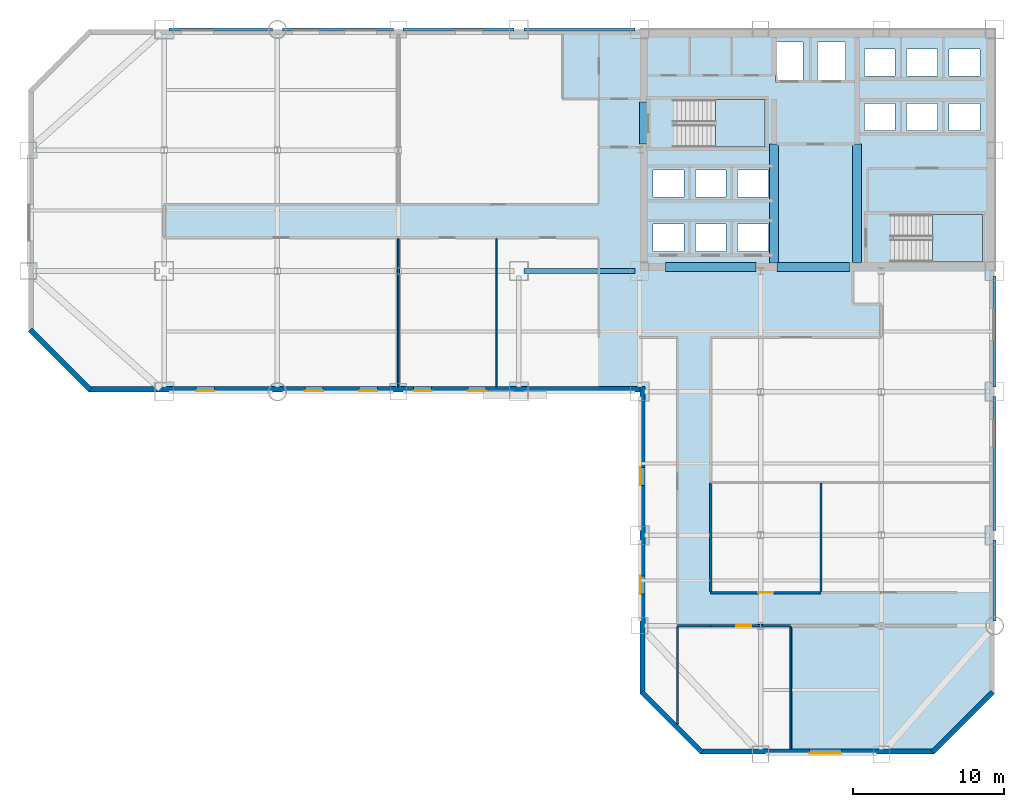
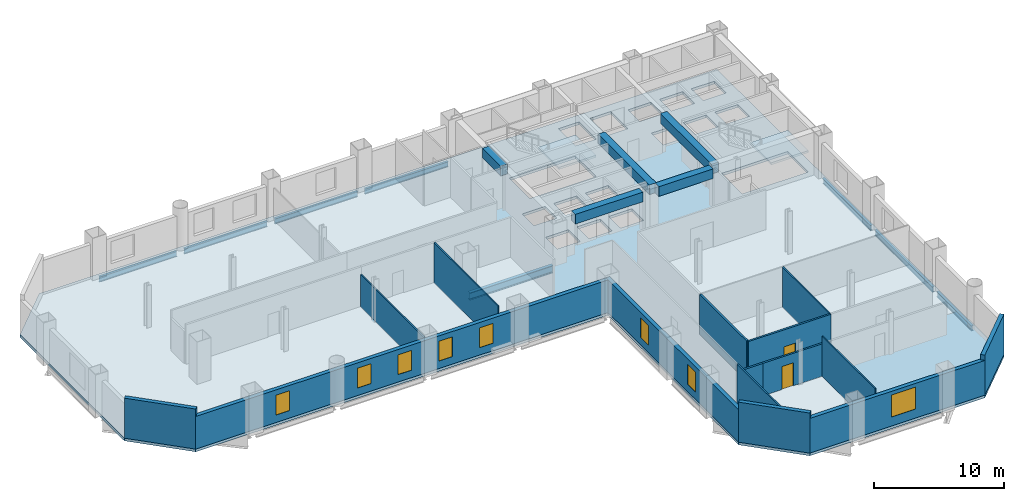
# One storey, part 4 of 9: 15 walls, 13 beams, 8 windows, 3 slabs, 2 doors, 10 openings, 2 elements without a shape of their own.
"""IFC4 building model written with IfcOpenShell, lengths in metres."""

from ifc_helpers import new_model, si_unit, direction, frame, frame_2d, origin, origin_2d, place, context, subcontext, project, spatial, polyline, rectangle, i_section, outline, extrude, material, layer, layer_set, material_profile, profile_set, type_object, element, fill, aggregate, save


model = new_model("IFC4")

# Units and contexts
model_context = context("Model", 3, precision=1e-05, world=origin(), true_north=direction((0.0, 1.0)))
body_context = subcontext(model_context, "Body", "Model", "MODEL_VIEW")
ifc_project = project(units=[si_unit("LENGTHUNIT", "METRE"), si_unit("AREAUNIT", "SQUARE_METRE"), si_unit("VOLUMEUNIT", "CUBIC_METRE"), si_unit("PLANEANGLEUNIT", "RADIAN"), si_unit("MASSUNIT", "GRAM", prefix="KILO")], contexts=[model_context])

# Site, building, storey
site_placement = place(None, origin())
site = spatial("IfcSite", under=ifc_project, at=site_placement, CompositionType="ELEMENT")
building_placement = place(site_placement, origin())
building = spatial("IfcBuilding", under=site, at=building_placement, Name="Qianrong Seaharbour Tower", CompositionType="ELEMENT")
storey_placement = place(building_placement, frame((0.0, 0.0, 56.199951171875)))
storey = spatial("IfcBuildingStorey", under=building, at=storey_placement, Name="L13", CompositionType="ELEMENT", Elevation=56.199951171875)

# Beams
ifc_material_1 = material(Name="Structural steel SN490B", Category="steel")
ifc_material_profile_1 = material_profile(ifc_material_1, i_section(OverallWidth=0.300048828125, OverallDepth=0.699951171875, WebThickness=0.012939453125, FlangeThickness=0.02392578125, FilletRadius=0.02587890625, at=origin_2d()), Name="H700x300x13x24")
ifc_profile_set_1 = profile_set([ifc_material_profile_1], Name="Structural steel SN490B")
beam_type_1 = type_object("IfcBeamType", Name="BM-G-700", PredefinedType="BEAM", material=ifc_profile_set_1)
beam_1_placement = place(storey_placement, frame((32.820068359375, 36.0, -0.599853515625), z_axis=(1.0, 0.0, 0.0), x_axis=(0.0, 1.0, 0.0)))
element("IfcBeam", 1, at=beam_1_placement, inside=storey, type_object=beam_type_1, Name="L13 Primary Girder GF G5-G6", PredefinedType="BEAM", context=body_context, shape_type="SweptSolid", body=[
    extrude(i_section(OverallWidth=0.300048828125, OverallDepth=0.699951171875, WebThickness=0.012939453125, FlangeThickness=0.02392578125, FilletRadius=0.02587890625, at=origin_2d()), origin(), (0.0, 0.0, 1.0), 7.35986328125),
])
ifc_material_2 = material(Name="Concrete C70/85", Category="concrete")
ifc_material_profile_2 = material_profile(ifc_material_2, rectangle(XDim=0.60009765625, YDim=0.89990234375, at=origin_2d()), Name="RC600x900")
ifc_profile_set_2 = profile_set([ifc_material_profile_2], Name="Concrete C70/85")
beam_type_2 = type_object("IfcBeamType", Name="BM-LINTEL-900", PredefinedType="LINTEL", material=ifc_profile_set_2)
beam_2_placement = place(storey_placement, frame((40.77001953125, 44.39990234375, 3.300048828125), z_axis=(0.0, 1.0, 0.0), x_axis=(-1.0, 0.0, 0.0)))
element("IfcBeam", 2, at=beam_2_placement, inside=storey, type_object=beam_type_2, Name="L13 Core Coupling Lintel Beam West", PredefinedType="LINTEL", context=body_context, shape_type="SweptSolid", body=[
    extrude(rectangle(XDim=0.60009765625, YDim=0.89990234375, at=origin_2d()), origin(), (0.0, 0.0, 1.0), 2.800048828125),
])
beam_3_placement = place(storey_placement, frame((42.199951171875, 36.27001953125, 3.300048828125), z_axis=(1.0, 0.0, 0.0), x_axis=(0.0, 1.0, 0.0)))
element("IfcBeam", 3, at=beam_3_placement, inside=storey, type_object=beam_type_2, Name="L13 Core Coupling Lintel Beam CBW", PredefinedType="LINTEL", context=body_context, shape_type="SweptSolid", body=[
    extrude(rectangle(XDim=0.60009765625, YDim=0.89990234375, at=origin_2d()), origin(), (0.0, 0.0, 1.0), 6.0),
])
beam_4_placement = place(storey_placement, frame((49.60009765625, 36.27001953125, 3.300048828125), z_axis=(1.0, 0.0, 0.0), x_axis=(0.0, 1.0, 0.0)))
element("IfcBeam", 4, at=beam_4_placement, inside=storey, type_object=beam_type_2, Name="L13 Core Coupling Lintel Beam CBC", PredefinedType="LINTEL", context=body_context, shape_type="SweptSolid", body=[
    extrude(rectangle(XDim=0.60009765625, YDim=0.89990234375, at=origin_2d()), origin(), (0.0, 0.0, 1.0), 4.7998046875),
])
for number, where, z_axis, x_axis, name in (
    (5, (49.39990234375, 36.5400390625, 3.300048828125), (0.0, 1.0, 0.0), (-1.0, 0.0, 0.0), "L13 Internal Core Coupling Beam IW1"),
    (6, (54.89990234375, 36.5400390625, 3.300048828125), (0.0, 1.0, 0.0), (-1.0, 0.0, 0.0), "L13 Internal Core Coupling Beam IW2"),
):
    element("IfcBeam", number, at=place(storey_placement, frame(where, z_axis=z_axis, x_axis=x_axis)), inside=storey, type_object=beam_type_2, Name=name, PredefinedType="LINTEL", context=body_context, shape_type="SweptSolid", body=[
        extrude(rectangle(XDim=0.60009765625, YDim=0.89990234375, at=origin_2d()), origin(), (0.0, 0.0, 1.0), 7.85986328125),
    ])
ifc_material_profile_3 = material_profile(ifc_material_1, i_section(OverallWidth=0.199951171875, OverallDepth=0.5, WebThickness=0.010009765625, FlangeThickness=0.01611328125, FilletRadius=0.02001953125, at=origin_2d()), Name="H500x200x10x16")
ifc_profile_set_3 = profile_set([ifc_material_profile_3], Name="Structural steel SN490B")
beam_type_3 = type_object("IfcBeamType", Name="BM-SP-500", PredefinedType="SPANDREL", material=ifc_profile_set_3)
beam_5_placement = place(storey_placement, frame((9.320068359375, 52.0, -0.5), z_axis=(1.0, 0.0, 0.0), x_axis=(0.0, 1.0, 0.0)))
element("IfcBeam", 7, at=beam_5_placement, inside=storey, type_object=beam_type_3, Name="L13 Spandrel Girder GH G2-G3", PredefinedType="SPANDREL", context=body_context, shape_type="SweptSolid", body=[
    extrude(i_section(OverallWidth=0.199951171875, OverallDepth=0.5, WebThickness=0.010009765625, FlangeThickness=0.01611328125, FilletRadius=0.02001953125, at=origin_2d()), origin(), (0.0, 0.0, 1.0), 6.85986328125),
])
for number, where, z_axis, x_axis, name in (
    (8, (16.820068359375, 52.0, -0.5), (1.0, 0.0, 0.0), (0.0, 1.0, 0.0), "L13 Spandrel Girder GH G3-G4"),
    (9, (24.820068359375, 52.0, -0.5), (1.0, 0.0, 0.0), (0.0, 1.0, 0.0), "L13 Spandrel Girder GH G4-G5"),
    (10, (32.820068359375, 52.0, -0.5), (1.0, 0.0, 0.0), (0.0, 1.0, 0.0), "L13 Spandrel Girder GH G5-G6"),
):
    element("IfcBeam", number, at=place(storey_placement, frame(where, z_axis=z_axis, x_axis=x_axis)), inside=storey, type_object=beam_type_3, Name=name, PredefinedType="SPANDREL", context=body_context, shape_type="SweptSolid", body=[
        extrude(i_section(OverallWidth=0.199951171875, OverallDepth=0.5, WebThickness=0.010009765625, FlangeThickness=0.01611328125, FilletRadius=0.02001953125, at=origin_2d()), origin(), (0.0, 0.0, 1.0), 7.35986328125),
    ])
beam_6_placement = place(storey_placement, frame((64.0, 12.820068359375, -0.5), z_axis=(0.0, 1.0, 0.0), x_axis=(-1.0, 0.0, 0.0)))
element("IfcBeam", 11, at=beam_6_placement, inside=storey, type_object=beam_type_3, Name="L13 Spandrel Girder G9 GC-GD", PredefinedType="SPANDREL", context=body_context, shape_type="SweptSolid", body=[
    extrude(i_section(OverallWidth=0.199951171875, OverallDepth=0.5, WebThickness=0.010009765625, FlangeThickness=0.01611328125, FilletRadius=0.02001953125, at=origin_2d()), origin(), (0.0, 0.0, 1.0), 5.35986328125),
])
beam_7_placement = place(storey_placement, frame((64.0, 18.820068359375, -0.5), z_axis=(0.0, 1.0, 0.0), x_axis=(-1.0, 0.0, 0.0)))
element("IfcBeam", 12, at=beam_7_placement, inside=storey, type_object=beam_type_3, Name="L13 Spandrel Girder G9 GD-GE", PredefinedType="SPANDREL", context=body_context, shape_type="SweptSolid", body=[
    extrude(i_section(OverallWidth=0.199951171875, OverallDepth=0.5, WebThickness=0.010009765625, FlangeThickness=0.01611328125, FilletRadius=0.02001953125, at=origin_2d()), origin(), (0.0, 0.0, 1.0), 8.85986328125),
])
beam_8_placement = place(storey_placement, frame((64.0, 28.320068359375, -0.5), z_axis=(0.0, 1.0, 0.0), x_axis=(-1.0, 0.0, 0.0)))
element("IfcBeam", 13, at=beam_8_placement, inside=storey, type_object=beam_type_3, Name="L13 Spandrel Girder G9 GE-GF", PredefinedType="SPANDREL", context=body_context, shape_type="SweptSolid", body=[
    extrude(i_section(OverallWidth=0.199951171875, OverallDepth=0.5, WebThickness=0.010009765625, FlangeThickness=0.01611328125, FilletRadius=0.02001953125, at=origin_2d()), origin(), (0.0, 0.0, 1.0), 7.35986328125),
])

# Stair, slab
ifc_material_3 = material(Name="Concrete C50/60", Category="concrete")
stair_type = type_object("IfcStairType", Name="STAIR-DOGLEG-1500-R22", PredefinedType="HALF_TURN_STAIR", material=ifc_material_3)
stair_1_placement = place(storey_placement, origin())
stair_1 = element("IfcStair", 14, at=stair_1_placement, inside=storey, type_object=stair_type, Name="L13 Protected Escape Stair ST-1", PredefinedType="HALF_TURN_STAIR")
ifc_layer_1 = layer(ifc_material_3, 0.199951171875)
ifc_layer_set_1 = layer_set([ifc_layer_1], Name="Concrete C50/60")
slab_type_1 = type_object("IfcSlabType", Name="SLAB-STAIR-LANDING-200", PredefinedType="LANDING", material=ifc_layer_set_1)
slab_1_placement = place(storey_placement, frame((0.0, 0.0, 1.800048828125)))
slab_1 = element("IfcSlab", 15, at=slab_1_placement, type_object=slab_type_1, Name="ST-1 landing 1", PredefinedType="LANDING", context=body_context, shape_type="SweptSolid", body=[
    extrude(outline(polyline([(45.5, 44.199951171875), (48.800048828125, 44.199951171875), (48.800048828125, 47.35009765625), (45.5, 47.35009765625), (45.5, 44.199951171875)])), origin(), (0.0, 0.0, 1.0), 0.199951171875),
])
aggregate(stair_1, [slab_1])

stair_2_placement = place(storey_placement, origin())
stair_2 = element("IfcStair", 16, at=stair_2_placement, inside=storey, type_object=stair_type, Name="L13 Protected Escape Stair ST-2", PredefinedType="HALF_TURN_STAIR")
slab_2_placement = place(storey_placement, frame((0.0, 0.0, 1.800048828125)))
slab_2 = element("IfcSlab", 17, at=slab_2_placement, type_object=slab_type_1, Name="ST-2 landing 1", PredefinedType="LANDING", context=body_context, shape_type="SweptSolid", body=[
    extrude(outline(polyline([(59.89990234375, 36.60009765625), (63.199951171875, 36.60009765625), (63.199951171875, 39.75), (59.89990234375, 39.75), (59.89990234375, 36.60009765625)])), origin(), (0.0, 0.0, 1.0), 0.199951171875),
])
aggregate(stair_2, [slab_2])

# Slab
ifc_layer_2 = layer(ifc_material_3, 0.25)
ifc_layer_set_2 = layer_set([ifc_layer_2], Name="Concrete C50/60")
slab_type_2 = type_object("IfcSlabType", Name="SLAB-Z1-250", PredefinedType="FLOOR", material=ifc_layer_set_2)
slab_3_placement = place(storey_placement, frame((0.0, 0.0, -0.25)))
element("IfcSlab", 18, at=slab_3_placement, inside=storey, type_object=slab_type_2, Name="L13 Structural Floor Slab", PredefinedType="FLOOR", context=body_context, shape_type="SweptSolid", body=[
    extrude(outline(polyline([(44.5, 4.0), (60.0, 4.0), (64.0, 8.0), (64.0, 52.0), (4.0, 52.0), (0.0, 48.0), (0.0, 32.0), (4.0, 28.0), (40.5, 28.0), (40.5, 8.0), (44.5, 4.0)]), holes=[polyline([(42.93994140625, 44.199951171875), (42.93994140625, 47.35009765625), (48.800048828125, 47.35009765625), (48.800048828125, 44.199951171875), (42.93994140625, 44.199951171875)]), polyline([(57.340087890625, 36.60009765625), (57.340087890625, 39.75), (63.199951171875, 39.75), (63.199951171875, 36.60009765625), (57.340087890625, 36.60009765625)]), polyline([(49.47998046875, 48.530029296875), (49.47998046875, 51.169921875), (51.320068359375, 51.169921875), (51.320068359375, 48.530029296875), (49.47998046875, 48.530029296875)]), polyline([(52.280029296875, 48.530029296875), (52.280029296875, 51.169921875), (54.1201171875, 51.169921875), (54.1201171875, 48.530029296875), (52.280029296875, 48.530029296875)]), polyline([(41.3798828125, 37.300048828125), (41.3798828125, 39.10009765625), (43.419921875, 39.10009765625), (43.419921875, 37.300048828125), (41.3798828125, 37.300048828125)]), polyline([(44.179931640625, 37.300048828125), (44.179931640625, 39.10009765625), (46.219970703125, 39.10009765625), (46.219970703125, 37.300048828125), (44.179931640625, 37.300048828125)]), polyline([(46.97998046875, 37.300048828125), (46.97998046875, 39.10009765625), (49.02001953125, 39.10009765625), (49.02001953125, 37.300048828125), (46.97998046875, 37.300048828125)]), polyline([(41.3798828125, 40.89990234375), (41.3798828125, 42.699951171875), (43.419921875, 42.699951171875), (43.419921875, 40.89990234375), (41.3798828125, 40.89990234375)]), polyline([(44.179931640625, 40.89990234375), (44.179931640625, 42.699951171875), (46.219970703125, 42.699951171875), (46.219970703125, 40.89990234375), (44.179931640625, 40.89990234375)]), polyline([(46.97998046875, 40.89990234375), (46.97998046875, 42.699951171875), (49.02001953125, 42.699951171875), (49.02001953125, 40.89990234375), (46.97998046875, 40.89990234375)]), polyline([(55.3798828125, 45.300048828125), (55.3798828125, 47.10009765625), (57.419921875, 47.10009765625), (57.419921875, 45.300048828125), (55.3798828125, 45.300048828125)]), polyline([(58.179931640625, 45.300048828125), (58.179931640625, 47.10009765625), (60.219970703125, 47.10009765625), (60.219970703125, 45.300048828125), (58.179931640625, 45.300048828125)]), polyline([(60.97998046875, 45.300048828125), (60.97998046875, 47.10009765625), (63.02001953125, 47.10009765625), (63.02001953125, 45.300048828125), (60.97998046875, 45.300048828125)]), polyline([(55.3798828125, 48.89990234375), (55.3798828125, 50.699951171875), (57.419921875, 50.699951171875), (57.419921875, 48.89990234375), (55.3798828125, 48.89990234375)]), polyline([(58.179931640625, 48.89990234375), (58.179931640625, 50.699951171875), (60.219970703125, 50.699951171875), (60.219970703125, 48.89990234375), (58.179931640625, 48.89990234375)]), polyline([(60.97998046875, 48.89990234375), (60.97998046875, 50.699951171875), (63.02001953125, 50.699951171875), (63.02001953125, 48.89990234375), (60.97998046875, 48.89990234375)])]), origin(), (0.0, 0.0, 1.0), 0.25),
])

# Walls
ifc_material_4 = material(Name="Fire-rated acoustic gypsum board partition")
ifc_layer_3 = layer(ifc_material_4, 0.1650390625)
ifc_layer_set_3 = layer_set([ifc_layer_3], Name="Fire-rated acoustic gypsum board partition")
wall_type_1 = type_object("IfcWallType", Name="WALL-CORR-PART-165", PredefinedType="PARTITIONING", material=ifc_layer_set_3)
wall_1_placement = place(storey_placement, frame((45.199951171875, 21.952880859375, 0.0), z_axis=(0.0, 0.0, 1.0), x_axis=(0.0, -1.0, 0.0)))
element("IfcWall", 19, at=wall_1_placement, inside=storey, type_object=wall_type_1, Name="L13 Interior Partition Wall 029", PredefinedType="PARTITIONING", context=body_context, shape_type="SweptSolid", body=[
    extrude(rectangle(XDim=7.178466796875, YDim=0.1650390625, at=frame_2d((3.58935546875, 0.0))), origin(), (0.0, 0.0, 1.0), 3.75),
])
wall_2_placement = place(storey_placement, frame((45.199951171875, 12.5, 0.0), z_axis=(0.0, 0.0, 1.0), x_axis=(-1.0, 0.0, 0.0)))
element("IfcWall", 20, at=wall_2_placement, inside=storey, type_object=wall_type_1, Name="L13 Interior Partition Wall 031", PredefinedType="PARTITIONING", context=body_context, shape_type="SweptSolid", body=[
    extrude(rectangle(XDim=2.199951171875, YDim=0.1650390625, at=frame_2d((1.10009765625, 0.0))), origin(), (0.0, 0.0, 1.0), 3.0419921875),
])

# Wall, opening, door
wall_3_placement = place(storey_placement, frame((45.199951171875, 14.699951171875, 0.0), z_axis=(0.0, 0.0, 1.0), x_axis=(1.0, 0.0, 0.0)))
wall_3 = element("IfcWall", 21, at=wall_3_placement, inside=storey, type_object=wall_type_1, Name="L13 Interior Partition Wall 032", PredefinedType="PARTITIONING", context=body_context, shape_type="SweptSolid", body=[
    extrude(rectangle(XDim=7.300048828125, YDim=0.1650390625, at=frame_2d((3.64990234375, 0.0))), origin(), (0.0, 0.0, 1.0), 3.75),
])
opening_1_placement = place(wall_3_placement, frame((3.14990234375, 0.0, 0.0)))
opening_1 = element("IfcOpeningElement", 22, at=opening_1_placement, cuts=wall_3, Name="Opening DO-01", PredefinedType="OPENING", context=body_context, shape_type="SweptSolid", body=[
    extrude(rectangle(XDim=1.0, YDim=2.14990234375, at=frame_2d((0.5, 1.074951171875))), frame((0.0, 0.092529296875, 0.0), z_axis=(0.0, -1.0, 0.0), x_axis=(1.0, 0.0, 0.0)), (0.0, 0.0, 1.0), 0.18505859375),
])
ifc_material_5 = material(Name="Acoustic timber and galvanized steel fire door assembly", Category="steel")
door_type = type_object("IfcDoorType", Name="DOOR-OFFICE-1000x2150", OperationType="NOTDEFINED", PredefinedType="DOOR", material=ifc_material_5)
door_1_placement = place(opening_1_placement, origin())
door_1 = element("IfcDoor", 23, at=door_1_placement, inside=storey, type_object=door_type, Name="L13 Focus Room 1 Door", OperationType="SINGLE_SWING_RIGHT", OverallHeight=2.14990234375, OverallWidth=1.0, PredefinedType="DOOR", context=body_context, shape_type="SweptSolid", body=[
    extrude(rectangle(XDim=1.0, YDim=2.14990234375, at=frame_2d((0.5, 1.074951171875))), frame((0.0, 0.02490234375, 0.0), z_axis=(0.0, -1.0, 0.0), x_axis=(1.0, 0.0, 0.0)), (0.0, 0.0, 1.0), 0.050048828125),
])
fill(opening_1, door_1)

wall_4_placement = place(storey_placement, frame((50.5, 12.5, 0.0), z_axis=(0.0, 0.0, 1.0), x_axis=(-1.0, 0.0, 0.0)))
wall_4 = element("IfcWall", 24, at=wall_4_placement, inside=storey, type_object=wall_type_1, Name="L13 Interior Partition Wall 034", PredefinedType="PARTITIONING", context=body_context, shape_type="SweptSolid", body=[
    extrude(rectangle(XDim=5.300048828125, YDim=0.1650390625, at=frame_2d((2.64990234375, 0.0))), origin(), (0.0, 0.0, 1.0), 3.0419921875),
])
opening_2_placement = place(wall_4_placement, frame((2.60009765625, 0.0, 0.0)))
opening_2 = element("IfcOpeningElement", 25, at=opening_2_placement, cuts=wall_4, Name="Opening DO-01", PredefinedType="OPENING", context=body_context, shape_type="SweptSolid", body=[
    extrude(rectangle(XDim=1.0, YDim=2.14990234375, at=frame_2d((0.5, 1.074951171875))), frame((0.0, 0.092529296875, 0.0), z_axis=(0.0, -1.0, 0.0), x_axis=(1.0, 0.0, 0.0)), (0.0, 0.0, 1.0), 0.18505859375),
])
door_2_placement = place(opening_2_placement, origin())
door_2 = element("IfcDoor", 26, at=door_2_placement, inside=storey, type_object=door_type, Name="L13 Harbour Symposium Hall 1 Door", OperationType="SINGLE_SWING_LEFT", OverallHeight=2.14990234375, OverallWidth=1.0, PredefinedType="DOOR", context=body_context, shape_type="SweptSolid", body=[
    extrude(rectangle(XDim=1.0, YDim=2.14990234375, at=frame_2d((0.5, 1.074951171875))), frame((0.0, 0.02490234375, 0.0), z_axis=(0.0, -1.0, 0.0), x_axis=(1.0, 0.0, 0.0)), (0.0, 0.0, 1.0), 0.050048828125),
])
fill(opening_2, door_2)

# Walls
ifc_material_6 = material(Name="Demountable aluminium-framed acoustic office partition", Category="aluminium")
ifc_layer_4 = layer(ifc_material_6, 0.110107421875)
ifc_layer_set_4 = layer_set([ifc_layer_4], Name="Demountable aluminium-framed acoustic office partition")
wall_type_2 = type_object("IfcWallType", Name="WALL-DEMOUNT-110", PredefinedType="MOVABLE", material=ifc_layer_set_4)
wall_5_placement = place(storey_placement, frame((24.5, 38.12548828125, 0.0), z_axis=(0.0, 0.0, 1.0), x_axis=(0.0, -1.0, 0.0)))
element("IfcWall", 27, at=wall_5_placement, inside=storey, type_object=wall_type_2, Name="L13 Interior Partition Wall 037", PredefinedType="MOVABLE", context=body_context, shape_type="SweptSolid", body=[
    extrude(rectangle(XDim=9.79345703125, YDim=0.110107421875, at=frame_2d((4.896728515625, 0.0))), origin(), (0.0, 0.0, 1.0), 3.0419921875),
])
wall_6_placement = place(storey_placement, frame((31.0, 38.12548828125, 0.0), z_axis=(0.0, 0.0, 1.0), x_axis=(0.0, -1.0, 0.0)))
element("IfcWall", 28, at=wall_6_placement, inside=storey, type_object=wall_type_2, Name="L13 Interior Partition Wall 038", PredefinedType="MOVABLE", context=body_context, shape_type="SweptSolid", body=[
    extrude(rectangle(XDim=9.79345703125, YDim=0.110107421875, at=frame_2d((4.896728515625, 0.0))), origin(), (0.0, 0.0, 1.0), 3.75),
])
wall_7_placement = place(storey_placement, frame((52.5, 21.952880859375, 0.0), z_axis=(0.0, 0.0, 1.0), x_axis=(0.0, -1.0, 0.0)))
element("IfcWall", 29, at=wall_7_placement, inside=storey, type_object=wall_type_2, Name="L13 Interior Partition Wall 041", PredefinedType="MOVABLE", context=body_context, shape_type="SweptSolid", body=[
    extrude(rectangle(XDim=7.178466796875, YDim=0.110107421875, at=frame_2d((3.58935546875, 0.0))), origin(), (0.0, 0.0, 1.0), 3.75),
])
wall_8_placement = place(storey_placement, frame((50.5, 12.425537109375, 0.0), z_axis=(0.0, 0.0, 1.0), x_axis=(0.0, -1.0, 0.0)))
element("IfcWall", 30, at=wall_8_placement, inside=storey, type_object=wall_type_2, Name="L13 Interior Partition Wall 043", PredefinedType="MOVABLE", context=body_context, shape_type="SweptSolid", body=[
    extrude(rectangle(XDim=8.093505859375, YDim=0.110107421875, at=frame_2d((4.046875, 0.0))), origin(), (0.0, 0.0, 1.0), 3.75),
])

# Wall, openings, windows
ifc_material_7 = material(Name="Unitised buff brick on Precast concrete C45/55", Category="masonry")
ifc_layer_5 = layer(ifc_material_7, 0.340087890625)
ifc_layer_set_5 = layer_set([ifc_layer_5], Name="Unitised buff brick on Precast concrete C45/55")
wall_type_3 = type_object("IfcWallType", Name="WALL-EXT-BRICK-BUFF-340", PredefinedType="SOLIDWALL", material=ifc_layer_set_5)
wall_9_placement = place(storey_placement, frame((40.669921875, 8.0, 0.0), z_axis=(0.0, 0.0, 1.0), x_axis=(0.0, 1.0, 0.0)))
wall_9 = element("IfcWall", 31, at=wall_9_placement, inside=storey, type_object=wall_type_3, Name="L13 Exterior Masonry Facade Wall REENTRANT_WEST", PredefinedType="SOLIDWALL", context=body_context, shape_type="SweptSolid", body=[
    extrude(rectangle(XDim=20.340087890625, YDim=0.340087890625, at=frame_2d((10.169921875, 0.0))), origin(), (0.0, 0.0, 1.0), 3.050048828125),
])
opening_3_placement = place(wall_9_placement, frame((6.60009765625, 0.0, 0.699951171875)))
opening_3 = element("IfcOpeningElement", 32, at=opening_3_placement, cuts=wall_9, Name="Opening WN-01", PredefinedType="OPENING", context=body_context, shape_type="SweptSolid", body=[
    extrude(rectangle(XDim=1.199951171875, YDim=1.85009765625, at=frame_2d((0.60009765625, 0.925048828125))), frame((0.0, 0.18017578125, 0.0), z_axis=(0.0, -1.0, 0.0), x_axis=(1.0, 0.0, 0.0)), (0.0, 0.0, 1.0), 0.360107421875),
])
opening_4_placement = place(wall_9_placement, frame((13.800048828125, 0.0, 0.699951171875)))
opening_4 = element("IfcOpeningElement", 33, at=opening_4_placement, cuts=wall_9, Name="Opening WN-01", PredefinedType="OPENING", context=body_context, shape_type="SweptSolid", body=[
    extrude(rectangle(XDim=1.199951171875, YDim=1.85009765625, at=frame_2d((0.60009765625, 0.925048828125))), frame((0.0, 0.18017578125, 0.0), z_axis=(0.0, -1.0, 0.0), x_axis=(1.0, 0.0, 0.0)), (0.0, 0.0, 1.0), 0.360107421875),
])
ifc_material_8 = material(Name="Insulated low-e double glazing in thermally broken aluminium 6063-T6 frame", Category="aluminium")
window_type_1 = type_object("IfcWindowType", Name="WIN-PUNCH-1200x1850", PartitioningType="DOUBLE_PANEL_VERTICAL", PredefinedType="WINDOW", material=ifc_material_8)
window_1_placement = place(opening_3_placement, origin())
window_1 = element("IfcWindow", 34, at=window_1_placement, inside=storey, type_object=window_type_1, Name="L13 Deep-Set Punched Window 00.02", OverallHeight=1.85009765625, OverallWidth=1.199951171875, PartitioningType="DOUBLE_PANEL_VERTICAL", PredefinedType="WINDOW", context=body_context, shape_type="SweptSolid", body=[
    extrude(rectangle(XDim=1.199951171875, YDim=1.85009765625, at=frame_2d((0.60009765625, 0.925048828125))), frame((0.0, 0.150146484375, 0.0), z_axis=(0.0, -1.0, 0.0), x_axis=(1.0, 0.0, 0.0)), (0.0, 0.0, 1.0), 0.06005859375),
])
fill(opening_3, window_1)
window_2_placement = place(opening_4_placement, origin())
window_2 = element("IfcWindow", 35, at=window_2_placement, inside=storey, type_object=window_type_1, Name="L13 Deep-Set Punched Window 00.04", OverallHeight=1.85009765625, OverallWidth=1.199951171875, PartitioningType="DOUBLE_PANEL_VERTICAL", PredefinedType="WINDOW", context=body_context, shape_type="SweptSolid", body=[
    extrude(rectangle(XDim=1.199951171875, YDim=1.85009765625, at=frame_2d((0.60009765625, 0.925048828125))), frame((0.0, 0.150146484375, 0.0), z_axis=(0.0, -1.0, 0.0), x_axis=(1.0, 0.0, 0.0)), (0.0, 0.0, 1.0), 0.06005859375),
])
fill(opening_4, window_2)

wall_10_placement = place(storey_placement, frame((40.52001953125, 28.169921875, 0.0), z_axis=(0.0, 0.0, 1.0), x_axis=(-1.0, 0.0, 0.0)))
wall_10 = element("IfcWall", 36, at=wall_10_placement, inside=storey, type_object=wall_type_3, Name="L13 Exterior Masonry Facade Wall HARBOUR_RIBBON", PredefinedType="SOLIDWALL", context=body_context, shape_type="SweptSolid", body=[
    extrude(rectangle(XDim=36.52001953125, YDim=0.340087890625, at=frame_2d((18.260009765625, 0.0))), origin(), (0.0, 0.0, 1.0), 3.050048828125),
])
opening_5_placement = place(wall_10_placement, frame((10.199951171875, 0.0, 0.699951171875)))
opening_5 = element("IfcOpeningElement", 37, at=opening_5_placement, cuts=wall_10, Name="Opening WN-01", PredefinedType="OPENING", context=body_context, shape_type="SweptSolid", body=[
    extrude(rectangle(XDim=1.199951171875, YDim=1.85009765625, at=frame_2d((0.60009765625, 0.925048828125))), frame((0.0, 0.18017578125, 0.0), z_axis=(0.0, -1.0, 0.0), x_axis=(1.0, 0.0, 0.0)), (0.0, 0.0, 1.0), 0.360107421875),
])
opening_6_placement = place(wall_10_placement, frame((13.800048828125, 0.0, 0.699951171875)))
opening_6 = element("IfcOpeningElement", 38, at=opening_6_placement, cuts=wall_10, Name="Opening WN-01", PredefinedType="OPENING", context=body_context, shape_type="SweptSolid", body=[
    extrude(rectangle(XDim=1.199951171875, YDim=1.85009765625, at=frame_2d((0.60009765625, 0.925048828125))), frame((0.0, 0.18017578125, 0.0), z_axis=(0.0, -1.0, 0.0), x_axis=(1.0, 0.0, 0.0)), (0.0, 0.0, 1.0), 0.360107421875),
])
opening_7_placement = place(wall_10_placement, frame((17.39990234375, 0.0, 0.699951171875)))
opening_7 = element("IfcOpeningElement", 39, at=opening_7_placement, cuts=wall_10, Name="Opening WN-01", PredefinedType="OPENING", context=body_context, shape_type="SweptSolid", body=[
    extrude(rectangle(XDim=1.199951171875, YDim=1.85009765625, at=frame_2d((0.60009765625, 0.925048828125))), frame((0.0, 0.18017578125, 0.0), z_axis=(0.0, -1.0, 0.0), x_axis=(1.0, 0.0, 0.0)), (0.0, 0.0, 1.0), 0.360107421875),
])
opening_8_placement = place(wall_10_placement, frame((21.0, 0.0, 0.699951171875)))
opening_8 = element("IfcOpeningElement", 40, at=opening_8_placement, cuts=wall_10, Name="Opening WN-01", PredefinedType="OPENING", context=body_context, shape_type="SweptSolid", body=[
    extrude(rectangle(XDim=1.199951171875, YDim=1.85009765625, at=frame_2d((0.60009765625, 0.925048828125))), frame((0.0, 0.18017578125, 0.0), z_axis=(0.0, -1.0, 0.0), x_axis=(1.0, 0.0, 0.0)), (0.0, 0.0, 1.0), 0.360107421875),
])
opening_9_placement = place(wall_10_placement, frame((28.199951171875, 0.0, 0.699951171875)))
opening_9 = element("IfcOpeningElement", 41, at=opening_9_placement, cuts=wall_10, Name="Opening WN-01", PredefinedType="OPENING", context=body_context, shape_type="SweptSolid", body=[
    extrude(rectangle(XDim=1.199951171875, YDim=1.85009765625, at=frame_2d((0.60009765625, 0.925048828125))), frame((0.0, 0.18017578125, 0.0), z_axis=(0.0, -1.0, 0.0), x_axis=(1.0, 0.0, 0.0)), (0.0, 0.0, 1.0), 0.360107421875),
])
window_3_placement = place(opening_5_placement, origin())
window_3 = element("IfcWindow", 42, at=window_3_placement, inside=storey, type_object=window_type_1, Name="L13 Deep-Set Punched Window 01.03", OverallHeight=1.85009765625, OverallWidth=1.199951171875, PartitioningType="DOUBLE_PANEL_VERTICAL", PredefinedType="WINDOW", context=body_context, shape_type="SweptSolid", body=[
    extrude(rectangle(XDim=1.199951171875, YDim=1.85009765625, at=frame_2d((0.60009765625, 0.925048828125))), frame((0.0, 0.150146484375, 0.0), z_axis=(0.0, -1.0, 0.0), x_axis=(1.0, 0.0, 0.0)), (0.0, 0.0, 1.0), 0.06005859375),
])
fill(opening_5, window_3)
window_4_placement = place(opening_6_placement, origin())
window_4 = element("IfcWindow", 43, at=window_4_placement, inside=storey, type_object=window_type_1, Name="L13 Deep-Set Punched Window 01.04", OverallHeight=1.85009765625, OverallWidth=1.199951171875, PartitioningType="DOUBLE_PANEL_VERTICAL", PredefinedType="WINDOW", context=body_context, shape_type="SweptSolid", body=[
    extrude(rectangle(XDim=1.199951171875, YDim=1.85009765625, at=frame_2d((0.60009765625, 0.925048828125))), frame((0.0, 0.150146484375, 0.0), z_axis=(0.0, -1.0, 0.0), x_axis=(1.0, 0.0, 0.0)), (0.0, 0.0, 1.0), 0.06005859375),
])
fill(opening_6, window_4)
window_5_placement = place(opening_7_placement, origin())
window_5 = element("IfcWindow", 44, at=window_5_placement, inside=storey, type_object=window_type_1, Name="L13 Deep-Set Punched Window 01.05", OverallHeight=1.85009765625, OverallWidth=1.199951171875, PartitioningType="DOUBLE_PANEL_VERTICAL", PredefinedType="WINDOW", context=body_context, shape_type="SweptSolid", body=[
    extrude(rectangle(XDim=1.199951171875, YDim=1.85009765625, at=frame_2d((0.60009765625, 0.925048828125))), frame((0.0, 0.150146484375, 0.0), z_axis=(0.0, -1.0, 0.0), x_axis=(1.0, 0.0, 0.0)), (0.0, 0.0, 1.0), 0.06005859375),
])
fill(opening_7, window_5)
window_6_placement = place(opening_8_placement, origin())
window_6 = element("IfcWindow", 45, at=window_6_placement, inside=storey, type_object=window_type_1, Name="L13 Deep-Set Punched Window 01.06", OverallHeight=1.85009765625, OverallWidth=1.199951171875, PartitioningType="DOUBLE_PANEL_VERTICAL", PredefinedType="WINDOW", context=body_context, shape_type="SweptSolid", body=[
    extrude(rectangle(XDim=1.199951171875, YDim=1.85009765625, at=frame_2d((0.60009765625, 0.925048828125))), frame((0.0, 0.150146484375, 0.0), z_axis=(0.0, -1.0, 0.0), x_axis=(1.0, 0.0, 0.0)), (0.0, 0.0, 1.0), 0.06005859375),
])
fill(opening_8, window_6)
window_7_placement = place(opening_9_placement, origin())
window_7 = element("IfcWindow", 46, at=window_7_placement, inside=storey, type_object=window_type_1, Name="L13 Deep-Set Punched Window 01.08", OverallHeight=1.85009765625, OverallWidth=1.199951171875, PartitioningType="DOUBLE_PANEL_VERTICAL", PredefinedType="WINDOW", context=body_context, shape_type="SweptSolid", body=[
    extrude(rectangle(XDim=1.199951171875, YDim=1.85009765625, at=frame_2d((0.60009765625, 0.925048828125))), frame((0.0, 0.150146484375, 0.0), z_axis=(0.0, -1.0, 0.0), x_axis=(1.0, 0.0, 0.0)), (0.0, 0.0, 1.0), 0.06005859375),
])
fill(opening_9, window_7)

# Walls
for number, where, z_axis, x_axis, name in (
    (47, (4.1201171875, 28.1201171875, 0.0), (0.0, 0.0, 1.0), (-0.707106781187, 0.707106781187, 0.0), "L13 Exterior Masonry Facade Wall E02"),
    (48, (63.8798828125, 8.1201171875, 0.0), (0.0, 0.0, 1.0), (-0.707106781187, -0.707106781187, 0.0), "L13 Exterior Masonry Facade Wall E07"),
):
    element("IfcWall", number, at=place(storey_placement, frame(where, z_axis=z_axis, x_axis=x_axis)), inside=storey, type_object=wall_type_3, Name=name, PredefinedType="SOLIDWALL", context=body_context, shape_type="SweptSolid", body=[
        extrude(rectangle(XDim=5.65673828125, YDim=0.340087890625, at=frame_2d((2.828369140625, 0.0))), origin(), (0.0, 0.0, 1.0), 3.75),
    ])

# Wall, opening, window
wall_11_placement = place(storey_placement, frame((60.0, 4.169921875, 0.0), z_axis=(0.0, 0.0, 1.0), x_axis=(-1.0, 0.0, 0.0)))
wall_11 = element("IfcWall", 49, at=wall_11_placement, inside=storey, type_object=wall_type_3, Name="L13 Exterior Masonry Facade Wall SOUTH_TIP", PredefinedType="SOLIDWALL", context=body_context, shape_type="SweptSolid", body=[
    extrude(rectangle(XDim=15.5, YDim=0.340087890625, at=frame_2d((7.75, 0.0))), origin(), (0.0, 0.0, 1.0), 3.25),
])
opening_10_placement = place(wall_11_placement, frame((6.14990234375, 0.0, 0.85009765625)))
opening_10 = element("IfcOpeningElement", 50, at=opening_10_placement, cuts=wall_11, Name="Opening WN-06", PredefinedType="OPENING", context=body_context, shape_type="SweptSolid", body=[
    extrude(rectangle(XDim=2.10009765625, YDim=2.050048828125, at=frame_2d((1.050048828125, 1.02490234375))), frame((0.0, 0.18017578125, 0.0), z_axis=(0.0, -1.0, 0.0), x_axis=(1.0, 0.0, 0.0)), (0.0, 0.0, 1.0), 0.360107421875),
])
window_type_2 = type_object("IfcWindowType", Name="WIN-PUNCH-2100x2050", PartitioningType="TRIPLE_PANEL_VERTICAL", PredefinedType="WINDOW", material=ifc_material_8)
window_8_placement = place(opening_10_placement, origin())
window_8 = element("IfcWindow", 51, at=window_8_placement, inside=storey, type_object=window_type_2, Name="L13 Deep-Set Punched Window 08.02", OverallHeight=2.050048828125, OverallWidth=2.10009765625, PartitioningType="TRIPLE_PANEL_VERTICAL", PredefinedType="WINDOW", context=body_context, shape_type="SweptSolid", body=[
    extrude(rectangle(XDim=2.10009765625, YDim=2.050048828125, at=frame_2d((1.050048828125, 1.02490234375))), frame((0.0, 0.150146484375, 0.0), z_axis=(0.0, -1.0, 0.0), x_axis=(1.0, 0.0, 0.0)), (0.0, 0.0, 1.0), 0.06005859375),
])
fill(opening_10, window_8)

# Walls
wall_12_placement = place(storey_placement, frame((44.6201171875, 4.1201171875, 0.0), z_axis=(0.0, 0.0, 1.0), x_axis=(-0.707106781187, 0.707106781187, 0.0)))
element("IfcWall", 52, at=wall_12_placement, inside=storey, type_object=wall_type_3, Name="L13 Exterior Masonry Facade Wall E09", PredefinedType="SOLIDWALL", context=body_context, shape_type="SweptSolid", body=[
    extrude(rectangle(XDim=5.65673828125, YDim=0.340087890625, at=frame_2d((2.828369140625, 0.0))), origin(), (0.0, 0.0, 1.0), 3.75),
])
ifc_material_9 = material(Name="Water-resistant cement board sanitary partition")
ifc_layer_6 = layer(ifc_material_9, 0.1298828125)
ifc_layer_set_6 = layer_set([ifc_layer_6], Name="Water-resistant cement board sanitary partition")
wall_type_4 = type_object("IfcWallType", Name="WALL-WET-PART-130", PredefinedType="PARTITIONING", material=ifc_layer_set_6)
wall_13_placement = place(storey_placement, frame((43.0, 12.425537109375, 0.0), z_axis=(0.0, 0.0, 1.0), x_axis=(0.0, -1.0, 0.0)))
element("IfcWall", 53, at=wall_13_placement, inside=storey, type_object=wall_type_4, Name="L13 Interior Partition Wall 042", PredefinedType="PARTITIONING", context=body_context, shape_type="SweptSolid", body=[
    extrude(rectangle(XDim=6.4560546875, YDim=0.1298828125, at=frame_2d((3.22802734375, 0.0))), origin(), (0.0, 0.0, 1.0), 3.75),
])

save(model, "model.ifc")
